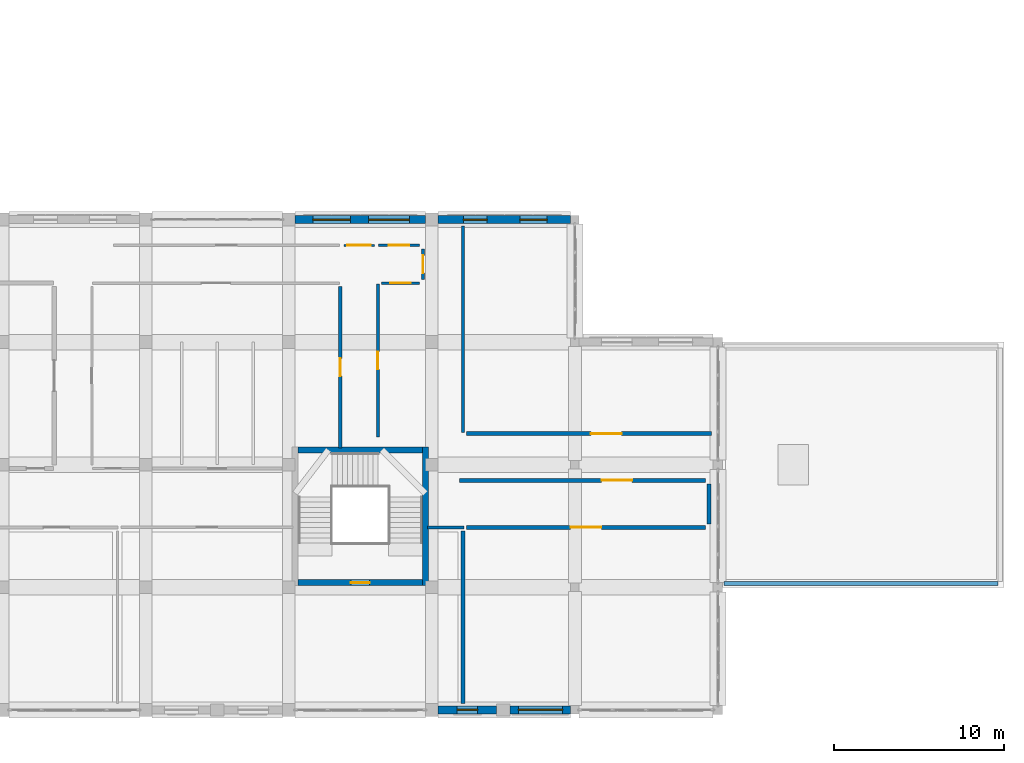
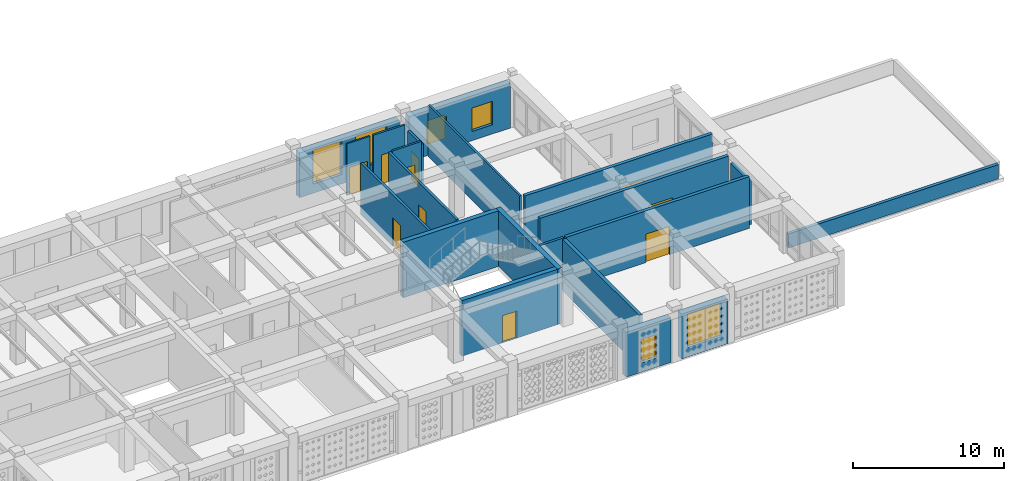
# One storey, part 71 of 111: 21 walls, 10 doors, 6 windows, 16 openings.
"""IFC4 building model written with IfcOpenShell, lengths in metres."""

import ifcopenshell
import ifcopenshell.guid

model = None  # the IFC model being written
_history = None  # IfcOwnerHistory: only IFC2X3 demands one
_inside = {}  # id of a spatial element -> (the spatial element, [elements in it])
_under = {}  # id of a project, library or spatial element -> (it, [spatial elements below it])
_declared = {}  # id of a project -> (the project, [libraries it declares])
_typed = {}  # id of a type object -> (the type object, [elements of that type])
_made_of = {}  # id of a material, layer set ... -> (it, [elements and type objects made of it])


def new_model(schema):
    """Start an empty IFC model of exactly this schema.

    Asked for "IFC4X3", IfcOpenShell would pick the latest addendum, in which some entities
    have other attributes; the version numbers below select the first issue.
    IFC2X3 requires an IfcOwnerHistory on every rooted entity: one is made here for all.
    """
    global model, _history
    if schema == "IFC4X3":
        model = ifcopenshell.file(schema_version=(4, 3, 0, 0))
    else:
        model = ifcopenshell.file(schema=schema)
    _inside.clear()
    _under.clear()
    _declared.clear()
    _typed.clear()
    _made_of.clear()
    _history = None
    if model.schema == "IFC2X3":
        org = make("IfcOrganization", Name="unknown")
        user = make(
            "IfcPersonAndOrganization",
            ThePerson=make("IfcPerson", FamilyName="unknown"),
            TheOrganization=org,
        )
        app = make(
            "IfcApplication",
            ApplicationDeveloper=org,
            Version="unknown",
            ApplicationFullName="unknown",
            ApplicationIdentifier="unknown",
        )
        _history = make(
            "IfcOwnerHistory",
            OwningUser=user,
            OwningApplication=app,
            ChangeAction="ADDED",
            CreationDate=0,
        )
    return model


def make(cls, **values):
    """One entity of the class cls with the attributes given. An attribute that is None is left unset."""
    return model.create_entity(
        cls, **{name: value for name, value in values.items() if value is not None}
    )


def rooted(cls, **values):
    """An entity with a GlobalId (a new one), such as an element, a storey or a relation."""
    return make(cls, GlobalId=ifcopenshell.guid.new(), OwnerHistory=_history, **values)


def si_unit(unit_type, name, prefix=None):
    """IfcSIUnit, for example si_unit("LENGTHUNIT", "METRE", prefix="MILLI")."""
    return make("IfcSIUnit", UnitType=unit_type, Prefix=prefix, Name=name)


def derived_unit(unit_type, elements):
    """IfcDerivedUnit: a product of units, each with its exponent."""
    return make(
        "IfcDerivedUnit",
        Elements=[
            make("IfcDerivedUnitElement", Unit=unit, Exponent=power)
            for unit, power in elements
        ],
        UnitType=unit_type,
    )


def assignment(units):
    """IfcUnitAssignment: the units of a project."""
    return None if units is None else make("IfcUnitAssignment", Units=units)


def point(xyz):
    """IfcCartesianPoint."""
    return None if xyz is None else make("IfcCartesianPoint", Coordinates=xyz)


def direction(xyz):
    """IfcDirection."""
    return None if xyz is None else make("IfcDirection", DirectionRatios=xyz)


def frame(location, z_axis=None, x_axis=None):
    """IfcAxis2Placement3D, a coordinate frame: its origin and axes. An axis left out is left unset."""
    return make(
        "IfcAxis2Placement3D",
        Location=point(location),
        Axis=direction(z_axis),
        RefDirection=direction(x_axis),
    )


def frame_2d(location, x_axis=None):
    """IfcAxis2Placement2D, a coordinate frame in the plane: its origin and x axis."""
    return make(
        "IfcAxis2Placement2D", Location=point(location), RefDirection=direction(x_axis)
    )


def origin():
    """The frame at (0, 0, 0) with its axes left unset."""
    return frame((0.0, 0.0, 0.0))


def place(relative_to, where):
    """IfcLocalPlacement: puts the frame where relative to a parent placement (None: the world)."""
    return make(
        "IfcLocalPlacement", PlacementRelTo=relative_to, RelativePlacement=where
    )


def context(
    kind, dimensions, precision=None, world=None, true_north=None, identifier=None
):
    """IfcGeometricRepresentationContext, for example the 3D "Model" context."""
    return make(
        "IfcGeometricRepresentationContext",
        ContextIdentifier=identifier,
        ContextType=kind,
        CoordinateSpaceDimension=dimensions,
        Precision=precision,
        WorldCoordinateSystem=world,
        TrueNorth=true_north,
    )


def subcontext(parent, identifier, kind, view, scale=None):
    """IfcGeometricRepresentationSubContext, for example "Body" below "Model"."""
    return make(
        "IfcGeometricRepresentationSubContext",
        ContextIdentifier=identifier,
        ContextType=kind,
        ParentContext=parent,
        TargetScale=scale,
        TargetView=view,
    )


def project(units=None, contexts=None):
    """IfcProject with its units and contexts."""
    return rooted(
        "IfcProject",
        Name="project",
        RepresentationContexts=contexts,
        UnitsInContext=assignment(units),
    )


def spatial(cls, under=None, at=None, **own):
    """A site, building, storey or space (cls), placed at a placement, below another one or the project."""
    s = rooted(cls, ObjectPlacement=at, **own)
    if under is not None:
        _under.setdefault(under.id(), (under, []))[1].append(s)
    return s


def profile(cls, at=None, kind="AREA", **sizes):
    """A parametric profile (cls). Its sizes go by their IFC names, for example OverallWidth=200.0."""
    return make(cls, ProfileType=kind, Position=at, **sizes)


def rectangle(**sizes):
    """IfcRectangleProfileDef."""
    return profile("IfcRectangleProfileDef", **sizes)


def extrude(swept, where, along, depth):
    """IfcExtrudedAreaSolid: the profile swept, set in the frame where, extruded along a direction by depth."""
    return make(
        "IfcExtrudedAreaSolid",
        SweptArea=swept,
        Position=where,
        ExtrudedDirection=direction(along),
        Depth=depth,
    )


def shape(context_of_items, identifier, shape_type, items):
    """IfcShapeRepresentation: the items that make up one representation, for example the "Body"."""
    return make(
        "IfcShapeRepresentation",
        ContextOfItems=context_of_items,
        RepresentationIdentifier=identifier,
        RepresentationType=shape_type,
        Items=items,
    )


def material(Name=None, Category=None):
    """IfcMaterial."""
    return make("IfcMaterial", Name=Name, Category=Category)


def layer(
    of_material, thickness, ventilated=None, Name=None, Category=None, Priority=None
):
    """IfcMaterialLayer: one layer of a wall or slab, of a material (None: an air gap)."""
    return make(
        "IfcMaterialLayer",
        Material=of_material,
        LayerThickness=thickness,
        IsVentilated=ventilated,
        Name=Name,
        Category=Category,
        Priority=Priority,
    )


def layer_set(layers, Name=None):
    """IfcMaterialLayerSet."""
    return make("IfcMaterialLayerSet", MaterialLayers=layers, LayerSetName=Name)


def made_of(thing, what):
    """Note that an element or type object is made of a material, layer set ...; save() writes the relation."""
    if what is not None:
        _made_of.setdefault(what.id(), (what, []))[1].append(thing)
    return thing


def type_object(cls, material=None, **own):
    """A type object (cls), such as IfcWallType, which elements share."""
    return made_of(rooted(cls, **own), material)


def element(
    cls,
    number,
    at=None,
    inside=None,
    cuts=None,
    type_object=None,
    material=None,
    context=None,
    identifier="Body",
    shape_type=None,
    held_by="IfcProductDefinitionShape",
    body=None,
    shapes=None,
    **own,
):
    """One element of the class cls, such as IfcWall. Its Tag is "e" and its number.

    at: its placement. inside: the storey or other place that contains it. cuts: it is an
    opening in that element (IfcRelVoidsElement). A single representation is given by context,
    identifier, shape_type and body (its items); several are given by shapes. held_by: the class
    of the entity that holds the representations. save() writes the other relations.
    """
    e = rooted(cls, Tag="e%d" % number, ObjectPlacement=at, **own)
    if body is not None:
        shapes = [shape(context, identifier, shape_type, body)]
    if shapes is not None:
        e.Representation = make(held_by, Representations=shapes)
    if inside is not None:
        _inside.setdefault(inside.id(), (inside, []))[1].append(e)
    if cuts is not None:
        rooted(
            "IfcRelVoidsElement", RelatingBuildingElement=cuts, RelatedOpeningElement=e
        )
    if type_object is not None:
        _typed.setdefault(type_object.id(), (type_object, []))[1].append(e)
    return made_of(e, material)


def fill(opening, filler):
    """IfcRelFillsElement: the door or window that sits in an opening."""
    return rooted(
        "IfcRelFillsElement",
        RelatingOpeningElement=opening,
        RelatedBuildingElement=filler,
    )


def aggregate(whole, parts):
    """IfcRelAggregates: a whole, such as a stair, and the parts it consists of."""
    return rooted("IfcRelAggregates", RelatingObject=whole, RelatedObjects=parts)


def save(model, path):
    """Write the relations noted so far, then the file.

    IfcRelAggregates (storeys below a building ...), IfcRelContainedInSpatialStructure (elements
    in a storey), IfcRelDefinesByType, IfcRelAssociatesMaterial and IfcRelDeclares: one each for
    every whole, place, type object, material and project.
    """
    for whole, parts in _under.values():
        aggregate(whole, parts)
    for where, things in _inside.values():
        rooted(
            "IfcRelContainedInSpatialStructure",
            RelatedElements=things,
            RelatingStructure=where,
        )
    for kind, things in _typed.values():
        rooted("IfcRelDefinesByType", RelatedObjects=things, RelatingType=kind)
    for what, things in _made_of.values():
        rooted("IfcRelAssociatesMaterial", RelatedObjects=things, RelatingMaterial=what)
    for by, libraries in _declared.values():
        rooted("IfcRelDeclares", RelatingContext=by, RelatedDefinitions=libraries)
    model.write(path)


model = new_model("IFC4")

# Units and contexts
model_context = context("Model", 3, precision=1e-05, world=origin(), true_north=direction((0.0, 1.0)))
body_context = subcontext(model_context, "Body", "Model", "MODEL_VIEW")
ifc_project = project(units=[si_unit("LENGTHUNIT", "METRE"), si_unit("AREAUNIT", "SQUARE_METRE"), si_unit("VOLUMEUNIT", "CUBIC_METRE"), si_unit("PLANEANGLEUNIT", "RADIAN"), si_unit("MASSUNIT", "GRAM", prefix="KILO"), derived_unit("THERMALTRANSMITTANCEUNIT", [(si_unit("POWERUNIT", "WATT"), 1), (si_unit("LENGTHUNIT", "METRE"), -2), (si_unit("THERMODYNAMICTEMPERATUREUNIT", "KELVIN"), -1)])], contexts=[model_context])

# Site, building, storey
site_placement = place(None, origin())
site = spatial("IfcSite", under=ifc_project, at=site_placement, CompositionType="ELEMENT")
building_placement = place(site_placement, origin())
building = spatial("IfcBuilding", under=site, at=building_placement, Name="Veybourne Emporium", CompositionType="ELEMENT")
storey_placement = place(building_placement, frame((0.0, 0.0, 9.89990234375)))
storey = spatial("IfcBuildingStorey", under=building, at=storey_placement, Name="L02", CompositionType="ELEMENT", Elevation=9.89990234375)

# Wall, openings, windows
ifc_material_1 = material(Name="Portland Limestone Ashlar", Category="masonry")
ifc_layer_1 = layer(ifc_material_1, 0.47998046875)
ifc_layer_set_1 = layer_set([ifc_layer_1], Name="Portland Limestone Ashlar")
wall_type_1 = type_object("IfcWallType", Name="ExtWall_EW-01", PredefinedType="SOLIDWALL", material=ifc_layer_set_1)
wall_1_placement = place(storey_placement, frame((126.375, 28.800048828125, 0.0), z_axis=(0.0, 0.0, 1.0), x_axis=(1.0, 0.0, 0.0)))
wall_1 = element("IfcWall", 1, at=wall_1_placement, inside=storey, type_object=wall_type_1, Name="L02 Portland stone external wall 068", PredefinedType="SOLIDWALL", context=body_context, shape_type="SweptSolid", body=[
    extrude(rectangle(XDim=7.64990234375, YDim=0.47998046875, at=frame_2d((3.824951171875, 0.0))), origin(), (0.0, 0.0, 1.0), 3.630126953125),
])
opening_1_placement = place(wall_1_placement, frame((1.0419921875, 0.0, 0.75)))
opening_1 = element("IfcOpeningElement", 2, at=opening_1_placement, cuts=wall_1, Name="Opening W-54", PredefinedType="OPENING", context=body_context, shape_type="SweptSolid", body=[
    extrude(rectangle(XDim=2.199951171875, YDim=2.72998046875, at=frame_2d((1.10009765625, 1.364990234375))), frame((0.0, 0.260009765625, 0.0), z_axis=(0.0, -1.0, 0.0), x_axis=(1.0, 0.0, 0.0)), (0.0, 0.0, 1.0), 0.52001953125),
])
opening_2_placement = place(wall_1_placement, frame((4.30810546875, 0.0, 0.75)))
opening_2 = element("IfcOpeningElement", 3, at=opening_2_placement, cuts=wall_1, Name="Opening W-55", PredefinedType="OPENING", context=body_context, shape_type="SweptSolid", body=[
    extrude(rectangle(XDim=2.39990234375, YDim=2.72998046875, at=frame_2d((1.199951171875, 1.364990234375))), frame((0.0, 0.260009765625, 0.0), z_axis=(0.0, -1.0, 0.0), x_axis=(1.0, 0.0, 0.0)), (0.0, 0.0, 1.0), 0.52001953125),
])
ifc_material_2 = material(Name="Low-E Triple Glazing", Category="glass")
window_type_1 = type_object("IfcWindowType", Name="Win_W-54", PartitioningType="TRIPLE_PANEL_VERTICAL", PredefinedType="WINDOW", material=ifc_material_2)
window_1_placement = place(opening_1_placement, origin())
window_1 = element("IfcWindow", 4, at=window_1_placement, inside=storey, type_object=window_type_1, Name="L02 tripartite bronze casement window W-54 (68.1)", OverallHeight=2.72998046875, OverallWidth=2.199951171875, PartitioningType="TRIPLE_PANEL_VERTICAL", PredefinedType="WINDOW", context=body_context, shape_type="SweptSolid", body=[
    extrude(rectangle(XDim=2.199951171875, YDim=2.72998046875, at=frame_2d((1.10009765625, 1.364990234375))), frame((0.0, 0.030029296875, 0.0), z_axis=(0.0, -1.0, 0.0), x_axis=(1.0, 0.0, 0.0)), (0.0, 0.0, 1.0), 0.06005859375),
])
fill(opening_1, window_1)
window_type_2 = type_object("IfcWindowType", Name="Win_W-55", PartitioningType="TRIPLE_PANEL_VERTICAL", PredefinedType="WINDOW", material=ifc_material_2)
window_2_placement = place(opening_2_placement, origin())
window_2 = element("IfcWindow", 5, at=window_2_placement, inside=storey, type_object=window_type_2, Name="L02 tripartite bronze casement window W-55 (68.2)", OverallHeight=2.72998046875, OverallWidth=2.39990234375, PartitioningType="TRIPLE_PANEL_VERTICAL", PredefinedType="WINDOW", context=body_context, shape_type="SweptSolid", body=[
    extrude(rectangle(XDim=2.39990234375, YDim=2.72998046875, at=frame_2d((1.199951171875, 1.364990234375))), frame((0.0, 0.030029296875, 0.0), z_axis=(0.0, -1.0, 0.0), x_axis=(1.0, 0.0, 0.0)), (0.0, 0.0, 1.0), 0.06005859375),
])
fill(opening_2, window_2)

# Wall, opening, window
wall_2_placement = place(storey_placement, frame((142.550048828125, 0.0, 0.0), z_axis=(0.0, 0.0, 1.0), x_axis=(-1.0, 0.0, 0.0)))
wall_2 = element("IfcWall", 6, at=wall_2_placement, inside=storey, type_object=wall_type_1, Name="L02 Portland stone external wall 069A", PredefinedType="SOLIDWALL", context=body_context, shape_type="SweptSolid", body=[
    extrude(rectangle(XDim=3.550048828125, YDim=0.47998046875, at=frame_2d((1.77490234375, 0.0))), origin(), (0.0, 0.0, 1.0), 3.630126953125),
])
opening_3_placement = place(wall_2_placement, frame((0.47509765625, 0.0, 0.75)))
opening_3 = element("IfcOpeningElement", 7, at=opening_3_placement, cuts=wall_2, Name="Opening W-56", PredefinedType="OPENING", context=body_context, shape_type="SweptSolid", body=[
    extrude(rectangle(XDim=2.60009765625, YDim=2.72998046875, at=frame_2d((1.300048828125, 1.364990234375))), frame((0.0, 0.260009765625, 0.0), z_axis=(0.0, -1.0, 0.0), x_axis=(1.0, 0.0, 0.0)), (0.0, 0.0, 1.0), 0.52001953125),
])
window_type_3 = type_object("IfcWindowType", Name="Win_W-56", PartitioningType="TRIPLE_PANEL_VERTICAL", PredefinedType="WINDOW", material=ifc_material_2)
window_3_placement = place(opening_3_placement, origin())
window_3 = element("IfcWindow", 8, at=window_3_placement, inside=storey, type_object=window_type_3, Name="L02 tripartite bronze casement window W-56 (69A)", OverallHeight=2.72998046875, OverallWidth=2.60009765625, PartitioningType="TRIPLE_PANEL_VERTICAL", PredefinedType="WINDOW", context=body_context, shape_type="SweptSolid", body=[
    extrude(rectangle(XDim=2.60009765625, YDim=2.72998046875, at=frame_2d((1.300048828125, 1.364990234375))), frame((0.0, 0.030029296875, 0.0), z_axis=(0.0, -1.0, 0.0), x_axis=(1.0, 0.0, 0.0)), (0.0, 0.0, 1.0), 0.06005859375),
])
fill(opening_3, window_3)

wall_3_placement = place(storey_placement, frame((138.199951171875, 0.0, 0.0), z_axis=(0.0, 0.0, 1.0), x_axis=(-1.0, 0.0, 0.0)))
wall_3 = element("IfcWall", 9, at=wall_3_placement, inside=storey, type_object=wall_type_1, Name="L02 Portland stone external wall 069B", PredefinedType="SOLIDWALL", context=body_context, shape_type="SweptSolid", body=[
    extrude(rectangle(XDim=3.425048828125, YDim=0.47998046875, at=frame_2d((1.71240234375, 0.0))), origin(), (0.0, 0.0, 1.0), 3.630126953125),
])
opening_4_placement = place(wall_3_placement, frame((1.112548828125, 0.0, 0.75)))
opening_4 = element("IfcOpeningElement", 10, at=opening_4_placement, cuts=wall_3, Name="Opening W-01", PredefinedType="OPENING", context=body_context, shape_type="SweptSolid", body=[
    extrude(rectangle(XDim=1.199951171875, YDim=1.89990234375, at=frame_2d((0.60009765625, 0.949951171875))), frame((0.0, 0.260009765625, 0.0), z_axis=(0.0, -1.0, 0.0), x_axis=(1.0, 0.0, 0.0)), (0.0, 0.0, 1.0), 0.52001953125),
])
window_type_4 = type_object("IfcWindowType", Name="Win_W-01", PartitioningType="SINGLE_PANEL", PredefinedType="WINDOW", material=ifc_material_2)
window_4_placement = place(opening_4_placement, origin())
window_4 = element("IfcWindow", 11, at=window_4_placement, inside=storey, type_object=window_type_4, Name="L02 tripartite bronze casement window W-01 (69B)", OverallHeight=1.89990234375, OverallWidth=1.199951171875, PartitioningType="SINGLE_PANEL", PredefinedType="WINDOW", context=body_context, shape_type="SweptSolid", body=[
    extrude(rectangle(XDim=1.199951171875, YDim=1.89990234375, at=frame_2d((0.60009765625, 0.949951171875))), frame((0.0, 0.030029296875, 0.0), z_axis=(0.0, -1.0, 0.0), x_axis=(1.0, 0.0, 0.0)), (0.0, 0.0, 1.0), 0.06005859375),
])
fill(opening_4, window_4)

# Wall, openings, windows
wall_4_placement = place(storey_placement, frame((134.77490234375, 28.800048828125, 0.0), z_axis=(0.0, 0.0, 1.0), x_axis=(1.0, 0.0, 0.0)))
wall_4 = element("IfcWall", 12, at=wall_4_placement, inside=storey, type_object=wall_type_1, Name="L02 Portland stone external wall 071", PredefinedType="SOLIDWALL", context=body_context, shape_type="SweptSolid", body=[
    extrude(rectangle(XDim=7.775146484375, YDim=0.47998046875, at=frame_2d((3.8876953125, 0.0))), origin(), (0.0, 0.0, 1.0), 3.630126953125),
])
opening_5_placement = place(wall_4_placement, frame((1.47705078125, 0.0, 0.75)))
opening_5 = element("IfcOpeningElement", 13, at=opening_5_placement, cuts=wall_4, Name="Opening W-02", PredefinedType="OPENING", context=body_context, shape_type="SweptSolid", body=[
    extrude(rectangle(XDim=1.39990234375, YDim=1.89990234375, at=frame_2d((0.699951171875, 0.949951171875))), frame((0.0, 0.260009765625, 0.0), z_axis=(0.0, -1.0, 0.0), x_axis=(1.0, 0.0, 0.0)), (0.0, 0.0, 1.0), 0.52001953125),
])
opening_6_placement = place(wall_4_placement, frame((4.798095703125, 0.0, 0.75)))
opening_6 = element("IfcOpeningElement", 14, at=opening_6_placement, cuts=wall_4, Name="Opening W-03", PredefinedType="OPENING", context=body_context, shape_type="SweptSolid", body=[
    extrude(rectangle(XDim=1.60009765625, YDim=1.89990234375, at=frame_2d((0.800048828125, 0.949951171875))), frame((0.0, 0.260009765625, 0.0), z_axis=(0.0, -1.0, 0.0), x_axis=(1.0, 0.0, 0.0)), (0.0, 0.0, 1.0), 0.52001953125),
])
window_type_5 = type_object("IfcWindowType", Name="Win_W-02", PartitioningType="DOUBLE_PANEL_VERTICAL", PredefinedType="WINDOW", material=ifc_material_2)
window_5_placement = place(opening_5_placement, origin())
window_5 = element("IfcWindow", 15, at=window_5_placement, inside=storey, type_object=window_type_5, Name="L02 tripartite bronze casement window W-02 (71.1)", OverallHeight=1.89990234375, OverallWidth=1.39990234375, PartitioningType="DOUBLE_PANEL_VERTICAL", PredefinedType="WINDOW", context=body_context, shape_type="SweptSolid", body=[
    extrude(rectangle(XDim=1.39990234375, YDim=1.89990234375, at=frame_2d((0.699951171875, 0.949951171875))), frame((0.0, 0.030029296875, 0.0), z_axis=(0.0, -1.0, 0.0), x_axis=(1.0, 0.0, 0.0)), (0.0, 0.0, 1.0), 0.06005859375),
])
fill(opening_5, window_5)
window_type_6 = type_object("IfcWindowType", Name="Win_W-03", PartitioningType="DOUBLE_PANEL_VERTICAL", PredefinedType="WINDOW", material=ifc_material_2)
window_6_placement = place(opening_6_placement, origin())
window_6 = element("IfcWindow", 16, at=window_6_placement, inside=storey, type_object=window_type_6, Name="L02 tripartite bronze casement window W-03 (71.2)", OverallHeight=1.89990234375, OverallWidth=1.60009765625, PartitioningType="DOUBLE_PANEL_VERTICAL", PredefinedType="WINDOW", context=body_context, shape_type="SweptSolid", body=[
    extrude(rectangle(XDim=1.60009765625, YDim=1.89990234375, at=frame_2d((0.800048828125, 0.949951171875))), frame((0.0, 0.030029296875, 0.0), z_axis=(0.0, -1.0, 0.0), x_axis=(1.0, 0.0, 0.0)), (0.0, 0.0, 1.0), 0.06005859375),
])
fill(opening_6, window_6)

# Wall
ifc_material_3 = material(Name="Precast concrete C40/50", Category="concrete")
ifc_layer_2 = layer(ifc_material_3, 0.239990234375)
ifc_layer_set_2 = layer_set([ifc_layer_2], Name="Precast concrete C40/50")
wall_type_2 = type_object("IfcWallType", Name="ExtWall_PW-02", PredefinedType="PARAPET", material=ifc_layer_set_2)
wall_5_placement = place(storey_placement, frame((167.64990234375, 7.419921875, 0.0), z_axis=(0.0, 0.0, 1.0), x_axis=(-1.0, 0.0, 0.0)))
element("IfcWall", 17, at=wall_5_placement, inside=storey, type_object=wall_type_2, Name="L02 roof parapet wall 008", PredefinedType="PARAPET", context=body_context, shape_type="SweptSolid", body=[
    extrude(rectangle(XDim=16.099853515625, YDim=0.239990234375, at=frame_2d((8.0498046875, 0.0))), origin(), (0.0, 0.0, 1.0), 1.150146484375),
])

# Wall, opening, door
ifc_material_4 = material(Name="Concrete C40/50", Category="concrete")
ifc_layer_3 = layer(ifc_material_4, 0.35009765625)
ifc_layer_set_3 = layer_set([ifc_layer_3], Name="Concrete C40/50")
wall_type_3 = type_object("IfcWallType", Name="IntWall_CW-02", PredefinedType="SHEAR", material=ifc_layer_set_3)
wall_6_placement = place(storey_placement, frame((133.85009765625, 7.47509765625, 0.0), z_axis=(0.0, 0.0, 1.0), x_axis=(-1.0, 0.0, 0.0)))
wall_6 = element("IfcWall", 18, at=wall_6_placement, inside=storey, type_object=wall_type_3, Name="Core stair ST-06 south shear wall (L02)", PredefinedType="SHEAR", context=body_context, shape_type="SweptSolid", body=[
    extrude(rectangle(XDim=7.300048828125, YDim=0.35009765625, at=frame_2d((3.64990234375, 0.0))), origin(), (0.0, 0.0, 1.0), 4.5),
])
opening_7_placement = place(wall_6_placement, frame((3.10009765625, 0.0, 0.0)))
opening_7 = element("IfcOpeningElement", 19, at=opening_7_placement, cuts=wall_6, Name="Opening FD-01", PredefinedType="OPENING", context=body_context, shape_type="SweptSolid", body=[
    extrude(rectangle(XDim=1.10009765625, YDim=2.199951171875, at=frame_2d((0.550048828125, 1.10009765625))), frame((0.0, 0.195068359375, 0.0), z_axis=(0.0, -1.0, 0.0), x_axis=(1.0, 0.0, 0.0)), (0.0, 0.0, 1.0), 0.39013671875),
])
ifc_material_5 = material(Name="Patinated Architectural Bronze", Category="bronze")
door_type_1 = type_object("IfcDoorType", Name="FireDoor_FD-01", OperationType="NOTDEFINED", PredefinedType="DOOR", material=ifc_material_5)
door_1_placement = place(opening_7_placement, origin())
door_1 = element("IfcDoor", 20, at=door_1_placement, inside=storey, type_object=door_type_1, Name="Stair ST-06 fire door (L02)", OperationType="SINGLE_SWING_LEFT", OverallHeight=2.199951171875, OverallWidth=1.10009765625, PredefinedType="DOOR", context=body_context, shape_type="SweptSolid", body=[
    extrude(rectangle(XDim=1.10009765625, YDim=2.199951171875, at=frame_2d((0.550048828125, 1.10009765625))), frame((0.0, 0.02490234375, 0.0), z_axis=(0.0, -1.0, 0.0), x_axis=(1.0, 0.0, 0.0)), (0.0, 0.0, 1.0), 0.050048828125),
])
fill(opening_7, door_1)

# Walls
wall_7_placement = place(storey_placement, frame((126.550048828125, 15.27490234375, 0.0), z_axis=(0.0, 0.0, 1.0), x_axis=(1.0, 0.0, 0.0)))
element("IfcWall", 21, at=wall_7_placement, inside=storey, type_object=wall_type_3, Name="Core stair ST-06 north shear wall (L02)", PredefinedType="SHEAR", context=body_context, shape_type="SweptSolid", body=[
    extrude(rectangle(XDim=7.300048828125, YDim=0.35009765625, at=frame_2d((3.64990234375, 0.0))), origin(), (0.0, 0.0, 1.0), 4.5),
])
wall_8_placement = place(storey_placement, frame((134.02490234375, 7.300048828125, 0.0), z_axis=(0.0, 0.0, 1.0), x_axis=(0.0, 1.0, 0.0)))
element("IfcWall", 22, at=wall_8_placement, inside=storey, type_object=wall_type_3, Name="Core stair ST-06 east shear wall (L02)", PredefinedType="SHEAR", context=body_context, shape_type="SweptSolid", body=[
    extrude(rectangle(XDim=8.14990234375, YDim=0.35009765625, at=frame_2d((4.074951171875, 0.0))), origin(), (0.0, 0.0, 1.0), 4.5),
])

# Wall, opening, door
ifc_material_6 = material(Name="Concrete C32/40", Category="concrete")
ifc_layer_4 = layer(ifc_material_6, 0.25)
ifc_layer_set_4 = layer_set([ifc_layer_4], Name="Concrete C32/40")
wall_type_4 = type_object("IfcWallType", Name="IntWall_FW-01", PredefinedType="SOLIDWALL", material=ifc_layer_set_4)
wall_9_placement = place(storey_placement, frame((136.02001953125, 13.47998046875, 0.0), z_axis=(0.0, 0.0, 1.0), x_axis=(1.0, 0.0, 0.0)))
wall_9 = element("IfcWall", 23, at=wall_9_placement, inside=storey, type_object=wall_type_4, Name="L02 interior partition FW-01 #025", PredefinedType="SOLIDWALL", context=body_context, shape_type="SweptSolid", body=[
    extrude(rectangle(XDim=14.449951171875, YDim=0.25, at=frame_2d((7.22509765625, 0.0))), origin(), (0.0, 0.0, 1.0), 4.18017578125),
])
opening_8_placement = place(wall_9_placement, frame((8.34912109375, 0.0, 0.0)))
opening_8 = element("IfcOpeningElement", 24, at=opening_8_placement, cuts=wall_9, Name="Opening FD-03", PredefinedType="OPENING", context=body_context, shape_type="SweptSolid", body=[
    extrude(rectangle(XDim=1.800048828125, YDim=2.300048828125, at=frame_2d((0.89990234375, 1.14990234375))), frame((0.0, 0.14501953125, 0.0), z_axis=(0.0, -1.0, 0.0), x_axis=(1.0, 0.0, 0.0)), (0.0, 0.0, 1.0), 0.2900390625),
])
door_type_2 = type_object("IfcDoorType", Name="FireDoor_FD-03", OperationType="DOUBLE_DOOR_SINGLE_SWING", PredefinedType="DOOR", material=ifc_material_5)
door_2_placement = place(opening_8_placement, origin())
door_2 = element("IfcDoor", 25, at=door_2_placement, inside=storey, type_object=door_type_2, Name="L02 interior door FD-03 (PART-L02-025)", OperationType="DOUBLE_DOOR_SINGLE_SWING", OverallHeight=2.300048828125, OverallWidth=1.800048828125, PredefinedType="DOOR", context=body_context, shape_type="SweptSolid", body=[
    extrude(rectangle(XDim=1.800048828125, YDim=2.300048828125, at=frame_2d((0.89990234375, 1.14990234375))), frame((0.0, 0.02490234375, 0.0), z_axis=(0.0, -1.0, 0.0), x_axis=(1.0, 0.0, 0.0)), (0.0, 0.0, 1.0), 0.050048828125),
])
fill(opening_8, door_2)

wall_10_placement = place(storey_placement, frame((136.43994140625, 10.719970703125, 0.0), z_axis=(0.0, 0.0, 1.0), x_axis=(1.0, 0.0, 0.0)))
wall_10 = element("IfcWall", 26, at=wall_10_placement, inside=storey, type_object=wall_type_4, Name="L02 interior partition FW-01 #032", PredefinedType="SOLIDWALL", context=body_context, shape_type="SweptSolid", body=[
    extrude(rectangle(XDim=14.030029296875, YDim=0.25, at=frame_2d((7.01513671875, 0.0))), origin(), (0.0, 0.0, 1.0), 4.18017578125),
])
opening_9_placement = place(wall_10_placement, frame((6.114990234375, 0.0, 0.0)))
opening_9 = element("IfcOpeningElement", 27, at=opening_9_placement, cuts=wall_10, Name="Opening FD-03", PredefinedType="OPENING", context=body_context, shape_type="SweptSolid", body=[
    extrude(rectangle(XDim=1.800048828125, YDim=2.300048828125, at=frame_2d((0.89990234375, 1.14990234375))), frame((0.0, 0.14501953125, 0.0), z_axis=(0.0, -1.0, 0.0), x_axis=(1.0, 0.0, 0.0)), (0.0, 0.0, 1.0), 0.2900390625),
])
door_3_placement = place(opening_9_placement, origin())
door_3 = element("IfcDoor", 28, at=door_3_placement, inside=storey, type_object=door_type_2, Name="L02 interior door FD-03 (PART-L02-032)", OperationType="DOUBLE_DOOR_SINGLE_SWING", OverallHeight=2.300048828125, OverallWidth=1.800048828125, PredefinedType="DOOR", context=body_context, shape_type="SweptSolid", body=[
    extrude(rectangle(XDim=1.800048828125, YDim=2.300048828125, at=frame_2d((0.89990234375, 1.14990234375))), frame((0.0, 0.02490234375, 0.0), z_axis=(0.0, -1.0, 0.0), x_axis=(1.0, 0.0, 0.0)), (0.0, 0.0, 1.0), 0.050048828125),
])
fill(opening_9, door_3)

# Wall
wall_11_placement = place(storey_placement, frame((150.679931640625, 10.929931640625, 0.0), z_axis=(0.0, 0.0, 1.0), x_axis=(0.0, 1.0, 0.0)))
element("IfcWall", 29, at=wall_11_placement, inside=storey, type_object=wall_type_4, Name="L02 interior partition FW-01 #119", PredefinedType="SOLIDWALL", context=body_context, shape_type="SweptSolid", body=[
    extrude(rectangle(XDim=2.340087890625, YDim=0.25, at=frame_2d((1.169921875, 0.0))), origin(), (0.0, 0.0, 1.0), 3.630126953125),
])

# Wall, opening, door
wall_12_placement = place(storey_placement, frame((136.43994140625, 16.22998046875, 0.0), z_axis=(0.0, 0.0, 1.0), x_axis=(1.0, 0.0, 0.0)))
wall_12 = element("IfcWall", 30, at=wall_12_placement, inside=storey, type_object=wall_type_4, Name="L02 interior partition FW-01 #171", PredefinedType="SOLIDWALL", context=body_context, shape_type="SweptSolid", body=[
    extrude(rectangle(XDim=14.39013671875, YDim=0.25, at=frame_2d((7.195068359375, 0.0))), origin(), (0.0, 0.0, 1.0), 4.18017578125),
])
opening_10_placement = place(wall_12_placement, frame((7.30224609375, 0.0, 0.0)))
opening_10 = element("IfcOpeningElement", 31, at=opening_10_placement, cuts=wall_12, Name="Opening FD-03", PredefinedType="OPENING", context=body_context, shape_type="SweptSolid", body=[
    extrude(rectangle(XDim=1.800048828125, YDim=2.300048828125, at=frame_2d((0.89990234375, 1.14990234375))), frame((0.0, 0.14501953125, 0.0), z_axis=(0.0, -1.0, 0.0), x_axis=(1.0, 0.0, 0.0)), (0.0, 0.0, 1.0), 0.2900390625),
])
door_4_placement = place(opening_10_placement, origin())
door_4 = element("IfcDoor", 32, at=door_4_placement, inside=storey, type_object=door_type_2, Name="L02 interior door FD-03 (PART-L02-171)", OperationType="DOUBLE_DOOR_SINGLE_SWING", OverallHeight=2.300048828125, OverallWidth=1.800048828125, PredefinedType="DOOR", context=body_context, shape_type="SweptSolid", body=[
    extrude(rectangle(XDim=1.800048828125, YDim=2.300048828125, at=frame_2d((0.89990234375, 1.14990234375))), frame((0.0, 0.02490234375, 0.0), z_axis=(0.0, -1.0, 0.0), x_axis=(1.0, 0.0, 0.0)), (0.0, 0.0, 1.0), 0.050048828125),
])
fill(opening_10, door_4)

# Wall
wall_13_placement = place(storey_placement, frame((136.22998046875, 0.3701171875, 0.0), z_axis=(0.0, 0.0, 1.0), x_axis=(0.0, 1.0, 0.0)))
element("IfcWall", 33, at=wall_13_placement, inside=storey, type_object=wall_type_4, Name="L02 interior partition FW-01 #183", PredefinedType="SOLIDWALL", context=body_context, shape_type="SweptSolid", body=[
    extrude(rectangle(XDim=10.139892578125, YDim=0.25, at=frame_2d((5.06982421875, 0.0))), origin(), (0.0, 0.0, 1.0), 4.18017578125),
])

# Wall, opening, door
ifc_material_7 = material(Name="Gypsum Acoustic Board", Category="gypsum")
ifc_layer_5 = layer(ifc_material_7, 0.179931640625)
ifc_layer_set_5 = layer_set([ifc_layer_5], Name="Gypsum Acoustic Board")
wall_type_5 = type_object("IfcWallType", Name="IntWall_IW-01", PredefinedType="PARTITIONING", material=ifc_layer_set_5)
wall_14_placement = place(storey_placement, frame((129.02001953125, 15.389892578125, 0.0), z_axis=(0.0, 0.0, 1.0), x_axis=(0.0, 1.0, 0.0)))
wall_14 = element("IfcWall", 34, at=wall_14_placement, inside=storey, type_object=wall_type_5, Name="L02 interior partition IW-01 #072", PredefinedType="PARTITIONING", context=body_context, shape_type="SweptSolid", body=[
    extrude(rectangle(XDim=9.47021484375, YDim=0.179931640625, at=frame_2d((4.735107421875, 0.0))), origin(), (0.0, 0.0, 1.0), 4.18017578125),
])
opening_11_placement = place(wall_14_placement, frame((4.215087890625, 0.0, 0.0)))
opening_11 = element("IfcOpeningElement", 35, at=opening_11_placement, cuts=wall_14, Name="Opening D-20", PredefinedType="OPENING", context=body_context, shape_type="SweptSolid", body=[
    extrude(rectangle(XDim=1.0400390625, YDim=2.2900390625, at=frame_2d((0.52001953125, 1.14501953125))), frame((0.0, 0.10986328125, 0.0), z_axis=(0.0, -1.0, 0.0), x_axis=(1.0, 0.0, 0.0)), (0.0, 0.0, 1.0), 0.219970703125),
])
ifc_material_8 = material(Name="European Oak Veneer and Bronze", Category="wood")
door_type_3 = type_object("IfcDoorType", Name="IntDoor_D-20", OperationType="NOTDEFINED", PredefinedType="DOOR", material=ifc_material_8)
door_5_placement = place(opening_11_placement, origin())
door_5 = element("IfcDoor", 36, at=door_5_placement, inside=storey, type_object=door_type_3, Name="L02 interior door D-20 (PART-L02-072)", OperationType="SINGLE_SWING_RIGHT", OverallHeight=2.2900390625, OverallWidth=1.0400390625, PredefinedType="DOOR", context=body_context, shape_type="SweptSolid", body=[
    extrude(rectangle(XDim=1.0400390625, YDim=2.2900390625, at=frame_2d((0.52001953125, 1.14501953125))), frame((0.0, 0.02490234375, 0.0), z_axis=(0.0, -1.0, 0.0), x_axis=(1.0, 0.0, 0.0)), (0.0, 0.0, 1.0), 0.050048828125),
])
fill(opening_11, door_5)

wall_15_placement = place(storey_placement, frame((131.22998046875, 16.02001953125, 0.0), z_axis=(0.0, 0.0, 1.0), x_axis=(0.0, 1.0, 0.0)))
wall_15 = element("IfcWall", 37, at=wall_15_placement, inside=storey, type_object=wall_type_5, Name="L02 interior partition IW-01 #078", PredefinedType="PARTITIONING", context=body_context, shape_type="SweptSolid", body=[
    extrude(rectangle(XDim=9.0, YDim=0.179931640625, at=frame_2d((4.5, 0.0))), origin(), (0.0, 0.0, 1.0), 4.18017578125),
])
opening_12_placement = place(wall_15_placement, frame((3.97998046875, 0.0, 0.0)))
opening_12 = element("IfcOpeningElement", 38, at=opening_12_placement, cuts=wall_15, Name="Opening D-26", PredefinedType="OPENING", context=body_context, shape_type="SweptSolid", body=[
    extrude(rectangle(XDim=1.0400390625, YDim=2.3701171875, at=frame_2d((0.52001953125, 1.18505859375))), frame((0.0, 0.10986328125, 0.0), z_axis=(0.0, -1.0, 0.0), x_axis=(1.0, 0.0, 0.0)), (0.0, 0.0, 1.0), 0.219970703125),
])
door_type_4 = type_object("IfcDoorType", Name="IntDoor_D-26", OperationType="NOTDEFINED", PredefinedType="DOOR", material=ifc_material_8)
door_6_placement = place(opening_12_placement, origin())
door_6 = element("IfcDoor", 39, at=door_6_placement, inside=storey, type_object=door_type_4, Name="L02 interior door D-26 (PART-L02-078)", OperationType="SINGLE_SWING_RIGHT", OverallHeight=2.3701171875, OverallWidth=1.0400390625, PredefinedType="DOOR", context=body_context, shape_type="SweptSolid", body=[
    extrude(rectangle(XDim=1.0400390625, YDim=2.3701171875, at=frame_2d((0.52001953125, 1.18505859375))), frame((0.0, 0.02490234375, 0.0), z_axis=(0.0, -1.0, 0.0), x_axis=(1.0, 0.0, 0.0)), (0.0, 0.0, 1.0), 0.050048828125),
])
fill(opening_12, door_6)

# Wall
wall_16_placement = place(storey_placement, frame((134.139892578125, 10.719970703125, 0.0), z_axis=(0.0, 0.0, 1.0), x_axis=(1.0, 0.0, 0.0)))
element("IfcWall", 40, at=wall_16_placement, inside=storey, type_object=wall_type_5, Name="L02 interior partition IW-01 #126", PredefinedType="PARTITIONING", context=body_context, shape_type="SweptSolid", body=[
    extrude(rectangle(XDim=2.14013671875, YDim=0.179931640625, at=frame_2d((1.070068359375, 0.0))), origin(), (0.0, 0.0, 1.0), 4.18017578125),
])

# Wall, opening, door
wall_17_placement = place(storey_placement, frame((133.8798828125, 25.280029296875, 0.0), z_axis=(0.0, 0.0, 1.0), x_axis=(0.0, 1.0, 0.0)))
wall_17 = element("IfcWall", 41, at=wall_17_placement, inside=storey, type_object=wall_type_5, Name="L02 interior partition IW-01 #144", PredefinedType="PARTITIONING", context=body_context, shape_type="SweptSolid", body=[
    extrude(rectangle(XDim=1.7900390625, YDim=0.179931640625, at=frame_2d((0.89501953125, 0.0))), origin(), (0.0, 0.0, 1.0), 3.72998046875),
])
opening_13_placement = place(wall_17_placement, frame((0.375, 0.0, 0.0)))
opening_13 = element("IfcOpeningElement", 42, at=opening_13_placement, cuts=wall_17, Name="Opening D-20", PredefinedType="OPENING", context=body_context, shape_type="SweptSolid", body=[
    extrude(rectangle(XDim=1.0400390625, YDim=2.2900390625, at=frame_2d((0.52001953125, 1.14501953125))), frame((0.0, 0.10986328125, 0.0), z_axis=(0.0, -1.0, 0.0), x_axis=(1.0, 0.0, 0.0)), (0.0, 0.0, 1.0), 0.219970703125),
])
door_7_placement = place(opening_13_placement, origin())
door_7 = element("IfcDoor", 43, at=door_7_placement, inside=storey, type_object=door_type_3, Name="L02 interior door D-20 (PART-L02-144)", OperationType="SINGLE_SWING_RIGHT", OverallHeight=2.2900390625, OverallWidth=1.0400390625, PredefinedType="DOOR", context=body_context, shape_type="SweptSolid", body=[
    extrude(rectangle(XDim=1.0400390625, YDim=2.2900390625, at=frame_2d((0.52001953125, 1.14501953125))), frame((0.0, 0.02490234375, 0.0), z_axis=(0.0, -1.0, 0.0), x_axis=(1.0, 0.0, 0.0)), (0.0, 0.0, 1.0), 0.050048828125),
])
fill(opening_13, door_7)

ifc_layer_6 = layer(ifc_material_7, 0.14990234375)
ifc_layer_set_6 = layer_set([ifc_layer_6], Name="Gypsum Acoustic Board")
wall_type_6 = type_object("IfcWallType", Name="IntWall_IW-02", PredefinedType="PARTITIONING", material=ifc_layer_set_6)
wall_18_placement = place(storey_placement, frame((131.280029296875, 27.280029296875, 0.0), z_axis=(0.0, 0.0, 1.0), x_axis=(1.0, 0.0, 0.0)))
wall_18 = element("IfcWall", 44, at=wall_18_placement, inside=storey, type_object=wall_type_6, Name="L02 interior partition IW-02 #115", PredefinedType="PARTITIONING", context=body_context, shape_type="SweptSolid", body=[
    extrude(rectangle(XDim=2.389892578125, YDim=0.14990234375, at=frame_2d((1.19482421875, 0.0))), origin(), (0.0, 0.0, 1.0), 4.18017578125),
])
opening_14_placement = place(wall_18_placement, frame((0.594970703125, 0.0, 0.0)))
opening_14 = element("IfcOpeningElement", 45, at=opening_14_placement, cuts=wall_18, Name="Opening D-27", PredefinedType="OPENING", context=body_context, shape_type="SweptSolid", body=[
    extrude(rectangle(XDim=1.199951171875, YDim=2.3701171875, at=frame_2d((0.60009765625, 1.18505859375))), frame((0.0, 0.094970703125, 0.0), z_axis=(0.0, -1.0, 0.0), x_axis=(1.0, 0.0, 0.0)), (0.0, 0.0, 1.0), 0.18994140625),
])
door_type_5 = type_object("IfcDoorType", Name="IntDoor_D-27", OperationType="NOTDEFINED", PredefinedType="DOOR", material=ifc_material_8)
door_8_placement = place(opening_14_placement, origin())
door_8 = element("IfcDoor", 46, at=door_8_placement, inside=storey, type_object=door_type_5, Name="L02 interior door D-27 (PART-L02-115)", OperationType="SINGLE_SWING_LEFT", OverallHeight=2.3701171875, OverallWidth=1.199951171875, PredefinedType="DOOR", context=body_context, shape_type="SweptSolid", body=[
    extrude(rectangle(XDim=1.199951171875, YDim=2.3701171875, at=frame_2d((0.60009765625, 1.18505859375))), frame((0.0, 0.02490234375, 0.0), z_axis=(0.0, -1.0, 0.0), x_axis=(1.0, 0.0, 0.0)), (0.0, 0.0, 1.0), 0.050048828125),
])
fill(opening_14, door_8)

wall_19_placement = place(storey_placement, frame((131.43994140625, 25.070068359375, 0.0), z_axis=(0.0, 0.0, 1.0), x_axis=(1.0, 0.0, 0.0)))
wall_19 = element("IfcWall", 47, at=wall_19_placement, inside=storey, type_object=wall_type_6, Name="L02 interior partition IW-02 #121", PredefinedType="PARTITIONING", context=body_context, shape_type="SweptSolid", body=[
    extrude(rectangle(XDim=2.22998046875, YDim=0.14990234375, at=frame_2d((1.114990234375, 0.0))), origin(), (0.0, 0.0, 1.0), 4.18017578125),
])
opening_15_placement = place(wall_19_placement, frame((0.514892578125, 0.0, 0.0)))
opening_15 = element("IfcOpeningElement", 48, at=opening_15_placement, cuts=wall_19, Name="Opening D-33", PredefinedType="OPENING", context=body_context, shape_type="SweptSolid", body=[
    extrude(rectangle(XDim=1.199951171875, YDim=2.449951171875, at=frame_2d((0.60009765625, 1.22509765625))), frame((0.0, 0.094970703125, 0.0), z_axis=(0.0, -1.0, 0.0), x_axis=(1.0, 0.0, 0.0)), (0.0, 0.0, 1.0), 0.18994140625),
])
door_type_6 = type_object("IfcDoorType", Name="IntDoor_D-33", OperationType="NOTDEFINED", PredefinedType="DOOR", material=ifc_material_8)
door_9_placement = place(opening_15_placement, origin())
door_9 = element("IfcDoor", 49, at=door_9_placement, inside=storey, type_object=door_type_6, Name="L02 interior door D-33 (PART-L02-121)", OperationType="SINGLE_SWING_LEFT", OverallHeight=2.449951171875, OverallWidth=1.199951171875, PredefinedType="DOOR", context=body_context, shape_type="SweptSolid", body=[
    extrude(rectangle(XDim=1.199951171875, YDim=2.449951171875, at=frame_2d((0.60009765625, 1.22509765625))), frame((0.0, 0.02490234375, 0.0), z_axis=(0.0, -1.0, 0.0), x_axis=(1.0, 0.0, 0.0)), (0.0, 0.0, 1.0), 0.050048828125),
])
fill(opening_15, door_9)

# Wall
wall_20_placement = place(storey_placement, frame((136.22998046875, 16.280029296875, 0.0), z_axis=(0.0, 0.0, 1.0), x_axis=(0.0, 1.0, 0.0)))
element("IfcWall", 50, at=wall_20_placement, inside=storey, type_object=wall_type_6, Name="L02 interior partition IW-02 #178", PredefinedType="PARTITIONING", context=body_context, shape_type="SweptSolid", body=[
    extrude(rectangle(XDim=12.14990234375, YDim=0.14990234375, at=frame_2d((6.074951171875, 0.0))), origin(), (0.0, 0.0, 1.0), 4.18017578125),
])

# Wall, opening, door
ifc_layer_7 = layer(ifc_material_7, 0.1201171875)
ifc_layer_set_7 = layer_set([ifc_layer_7], Name="Gypsum Acoustic Board")
wall_type_7 = type_object("IfcWallType", Name="IntWall_IW-03", PredefinedType="PARTITIONING", material=ifc_layer_set_7)
wall_21_placement = place(storey_placement, frame((129.22998046875, 27.280029296875, 0.0), z_axis=(0.0, 0.0, 1.0), x_axis=(1.0, 0.0, 0.0)))
wall_21 = element("IfcWall", 51, at=wall_21_placement, inside=storey, type_object=wall_type_7, Name="L02 interior partition IW-03 #140", PredefinedType="PARTITIONING", context=body_context, shape_type="SweptSolid", body=[
    extrude(rectangle(XDim=1.7900390625, YDim=0.1201171875, at=frame_2d((0.89501953125, 0.0))), origin(), (0.0, 0.0, 1.0), 4.18017578125),
])
opening_16_placement = place(wall_21_placement, frame((0.215087890625, 0.0, 0.0)))
opening_16 = element("IfcOpeningElement", 52, at=opening_16_placement, cuts=wall_21, Name="Opening D-16", PredefinedType="OPENING", context=body_context, shape_type="SweptSolid", body=[
    extrude(rectangle(XDim=1.360107421875, YDim=2.2099609375, at=frame_2d((0.68017578125, 1.10498046875))), frame((0.0, 0.080078125, 0.0), z_axis=(0.0, -1.0, 0.0), x_axis=(1.0, 0.0, 0.0)), (0.0, 0.0, 1.0), 0.16015625),
])
door_type_7 = type_object("IfcDoorType", Name="IntDoor_D-16", OperationType="NOTDEFINED", PredefinedType="DOOR", material=ifc_material_8)
door_10_placement = place(opening_16_placement, origin())
door_10 = element("IfcDoor", 53, at=door_10_placement, inside=storey, type_object=door_type_7, Name="L02 interior door D-16 (PART-L02-140)", OperationType="SINGLE_SWING_RIGHT", OverallHeight=2.2099609375, OverallWidth=1.360107421875, PredefinedType="DOOR", context=body_context, shape_type="SweptSolid", body=[
    extrude(rectangle(XDim=1.360107421875, YDim=2.2099609375, at=frame_2d((0.68017578125, 1.10498046875))), frame((0.0, 0.02490234375, 0.0), z_axis=(0.0, -1.0, 0.0), x_axis=(1.0, 0.0, 0.0)), (0.0, 0.0, 1.0), 0.050048828125),
])
fill(opening_16, door_10)

save(model, "model.ifc")
